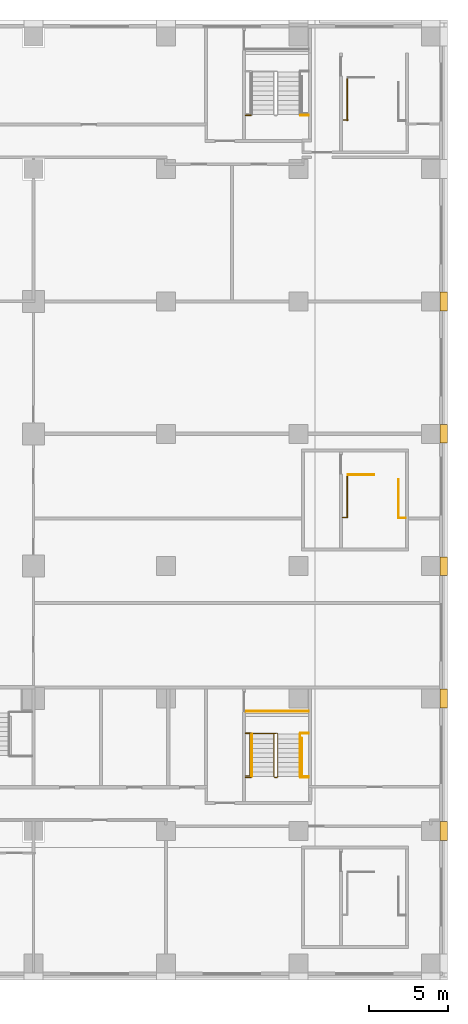
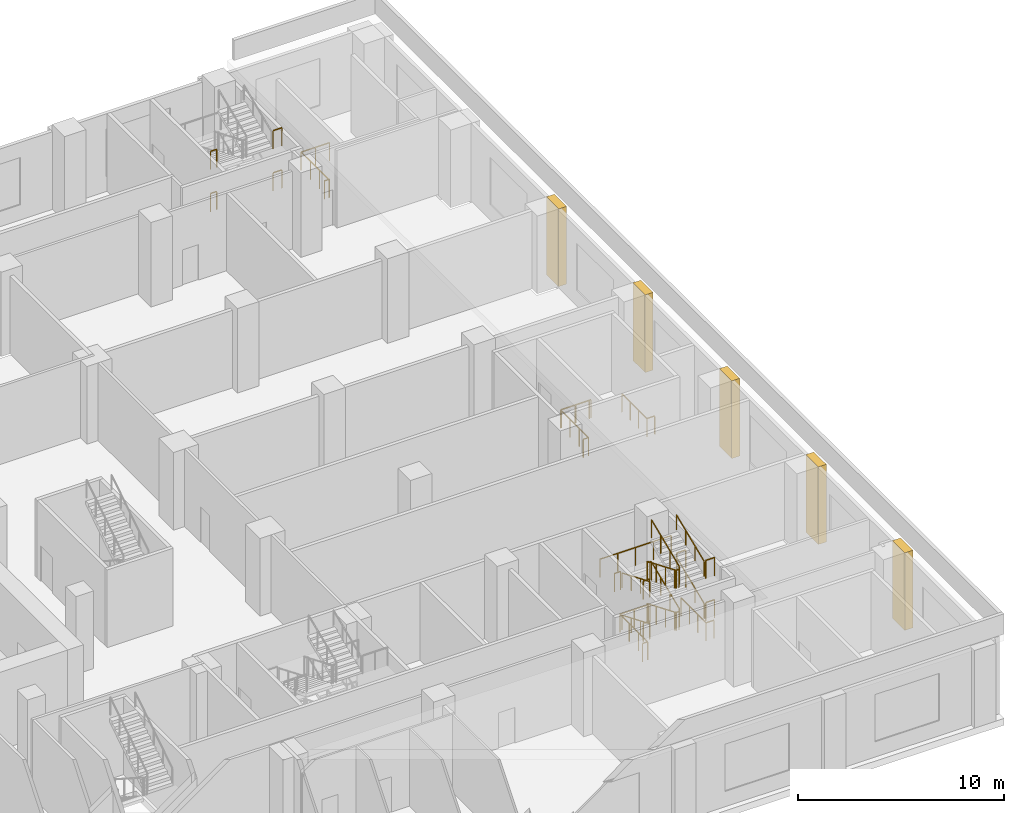
# One storey, part 22 of 23: 22 railings, 5 coverings.
"""IFC4 building model written with IfcOpenShell, lengths in metres."""

from ifc_helpers import new_model, si_unit, direction, frame, origin, origin_2d, place, context, subcontext, project, spatial, polyline, rectangle, outline, extrude, material, type_object, element, save


model = new_model("IFC4")

# Units and contexts
model_context = context("Model", 3, precision=1e-05, world=origin(), true_north=direction((0.0, 1.0)))
body_context = subcontext(model_context, "Body", "Model", "MODEL_VIEW")
ifc_project = project(units=[si_unit("LENGTHUNIT", "METRE"), si_unit("AREAUNIT", "SQUARE_METRE"), si_unit("VOLUMEUNIT", "CUBIC_METRE"), si_unit("PLANEANGLEUNIT", "RADIAN"), si_unit("MASSUNIT", "GRAM", prefix="KILO")], contexts=[model_context])

# Site, building, storey
site_placement = place(None, origin())
site = spatial("IfcSite", under=ifc_project, at=site_placement, CompositionType="ELEMENT")
building_placement = place(site_placement, origin())
building = spatial("IfcBuilding", under=site, at=building_placement, Name="Vermilion Ogive Tower", CompositionType="ELEMENT")
storey_placement = place(building_placement, frame((0.0, 0.0, 20.0)))
storey = spatial("IfcBuildingStorey", under=building, at=storey_placement, Name="L03", CompositionType="ELEMENT", Elevation=20.0)

# Railings
ifc_material_1 = material(Name="Steel S355 painted", Category="steel")
railing_type_1 = type_object("IfcRailingType", Name="Stair guard 1100", PredefinedType="GUARDRAIL", material=ifc_material_1)
railing_1_placement = place(storey_placement, frame((40.64990234375, -14.800048828125, 0.0)))
element("IfcRailing", 1, at=railing_1_placement, inside=storey, type_object=railing_type_1, Name="L03 PS6 stair guard 8", PredefinedType="GUARDRAIL", context=body_context, shape_type="SweptSolid", body=[
    extrude(rectangle(XDim=0.048095703125, YDim=0.048095703125, at=origin_2d()), frame((0.0, 0.0, 1.076171875), z_axis=(-1.0, 0.0, 0.0), x_axis=(0.0, -1.0, 0.0)), (0.0, 0.0, 1.0), 0.14990234375),
    extrude(rectangle(XDim=0.048095703125, YDim=0.048095703125, at=origin_2d()), frame((-0.14990234375, 0.0, 1.076171875), z_axis=(-0.34841279274, -0.34841279274, 0.870182194549), x_axis=(0.707106781187, -0.707106781187, 0.0)), (0.0, 0.0, 1.0), 0.1435546875),
    extrude(rectangle(XDim=0.048095703125, YDim=0.048095703125, at=origin_2d()), frame((-0.199951171875, -0.050048828125, 1.201171875), z_axis=(0.0, -0.923074453586, 0.384621311341), x_axis=(1.0, 0.0, 0.0)), (0.0, 0.0, 1.0), 2.925048828125),
    extrude(rectangle(XDim=0.048095703125, YDim=0.048095703125, at=origin_2d()), frame((-0.199951171875, -2.75, 2.326171875), z_axis=(0.707106781187, -0.707106781187, 0.0), x_axis=(0.707106781187, 0.707106781187, 0.0)), (0.0, 0.0, 1.0), 0.07080078125),
    extrude(rectangle(XDim=0.048095703125, YDim=0.048095703125, at=origin_2d()), frame((-0.14990234375, -2.800048828125, 2.326171875), z_axis=(1.0, 0.0, 0.0), x_axis=(0.0, 1.0, 0.0)), (0.0, 0.0, 1.0), 0.14990234375),
    extrude(rectangle(XDim=0.048095703125, YDim=0.048095703125, at=origin_2d()), frame((0.0, -2.800048828125, 2.326171875), z_axis=(0.34841279274, 0.34841279274, 0.870182194549), x_axis=(-0.707106781187, 0.707106781187, 0.0)), (0.0, 0.0, 1.0), 0.1435546875),
    extrude(rectangle(XDim=0.048095703125, YDim=0.048095703125, at=origin_2d()), frame((0.050048828125, -2.75, 2.451171875), z_axis=(0.0, 0.923074453586, 0.384621311341), x_axis=(-1.0, 0.0, 0.0)), (0.0, 0.0, 1.0), 2.925048828125),
    extrude(rectangle(XDim=0.048095703125, YDim=0.048095703125, at=origin_2d()), frame((0.050048828125, -0.050048828125, 3.576171875), z_axis=(-0.707106781187, 0.707106781187, 0.0), x_axis=(-0.707106781187, -0.707106781187, 0.0)), (0.0, 0.0, 1.0), 0.07080078125),
    extrude(rectangle(XDim=0.048095703125, YDim=0.048095703125, at=origin_2d()), frame((0.0, 0.0, 3.576171875), z_axis=(-1.0, 0.0, 0.0), x_axis=(0.0, -1.0, 0.0)), (0.0, 0.0, 1.0), 0.14990234375),
    extrude(rectangle(XDim=0.048095703125, YDim=0.048095703125, at=origin_2d()), frame((-0.14990234375, 0.0, 3.576171875), z_axis=(-0.34841279274, -0.34841279274, 0.870182194549), x_axis=(0.707106781187, -0.707106781187, 0.0)), (0.0, 0.0, 1.0), 0.1435546875),
    extrude(rectangle(XDim=0.048095703125, YDim=0.048095703125, at=origin_2d()), frame((-0.199951171875, -0.050048828125, 3.701171875), z_axis=(0.0, -0.923074453586, 0.384621311341), x_axis=(1.0, 0.0, 0.0)), (0.0, 0.0, 1.0), 2.925048828125),
    extrude(rectangle(XDim=0.048095703125, YDim=0.048095703125, at=origin_2d()), frame((-0.199951171875, -2.75, 4.826171875), z_axis=(0.707106781187, -0.707106781187, 0.0), x_axis=(0.707106781187, 0.707106781187, 0.0)), (0.0, 0.0, 1.0), 0.07080078125),
    extrude(rectangle(XDim=0.048095703125, YDim=0.048095703125, at=origin_2d()), frame((-0.14990234375, -2.800048828125, 4.826171875), z_axis=(1.0, 0.0, 0.0), x_axis=(0.0, 1.0, 0.0)), (0.0, 0.0, 1.0), 0.14990234375),
    extrude(rectangle(XDim=0.048095703125, YDim=0.048095703125, at=origin_2d()), frame((0.0, -2.800048828125, 4.826171875), z_axis=(0.34841279274, 0.34841279274, 0.870182194549), x_axis=(-0.707106781187, 0.707106781187, 0.0)), (0.0, 0.0, 1.0), 0.1435546875),
    extrude(rectangle(XDim=0.048095703125, YDim=0.048095703125, at=origin_2d()), frame((0.050048828125, -2.75, 4.951171875), z_axis=(0.0, 0.923074453586, 0.384621311341), x_axis=(-1.0, 0.0, 0.0)), (0.0, 0.0, 1.0), 2.925048828125),
    extrude(rectangle(XDim=0.0419921875, YDim=0.0419921875, at=origin_2d()), origin(), (0.0, 0.0, 1.0), 1.052001953125),
    extrude(rectangle(XDim=0.0419921875, YDim=0.0419921875, at=origin_2d()), frame((-0.14990234375, 0.0, 0.0)), (0.0, 0.0, 1.0), 1.052001953125),
    extrude(rectangle(XDim=0.0419921875, YDim=0.0419921875, at=origin_2d()), frame((-0.199951171875, -0.050048828125, 0.125)), (0.0, 0.0, 1.0), 1.052001953125),
    extrude(rectangle(XDim=0.0419921875, YDim=0.0419921875, at=origin_2d()), frame((-0.199951171875, -0.949951171875, 0.5)), (0.0, 0.0, 1.0), 1.052001953125),
    extrude(rectangle(XDim=0.0419921875, YDim=0.0419921875, at=origin_2d()), frame((-0.199951171875, -1.85009765625, 0.875)), (0.0, 0.0, 1.0), 1.052001953125),
    extrude(rectangle(XDim=0.0419921875, YDim=0.0419921875, at=origin_2d()), frame((-0.199951171875, -2.75, 1.25)), (0.0, 0.0, 1.0), 1.052001953125),
    extrude(rectangle(XDim=0.0419921875, YDim=0.0419921875, at=origin_2d()), frame((-0.14990234375, -2.800048828125, 1.25)), (0.0, 0.0, 1.0), 1.052001953125),
    extrude(rectangle(XDim=0.0419921875, YDim=0.0419921875, at=origin_2d()), frame((0.0, -2.800048828125, 1.25)), (0.0, 0.0, 1.0), 1.052001953125),
    extrude(rectangle(XDim=0.0419921875, YDim=0.0419921875, at=origin_2d()), frame((0.050048828125, -2.75, 1.375)), (0.0, 0.0, 1.0), 1.052001953125),
    extrude(rectangle(XDim=0.0419921875, YDim=0.0419921875, at=origin_2d()), frame((0.050048828125, -1.85009765625, 1.75)), (0.0, 0.0, 1.0), 1.052001953125),
    extrude(rectangle(XDim=0.0419921875, YDim=0.0419921875, at=origin_2d()), frame((0.050048828125, -0.949951171875, 2.125)), (0.0, 0.0, 1.0), 1.052001953125),
    extrude(rectangle(XDim=0.0419921875, YDim=0.0419921875, at=origin_2d()), frame((0.050048828125, -0.050048828125, 2.5)), (0.0, 0.0, 1.0), 1.052001953125),
    extrude(rectangle(XDim=0.0419921875, YDim=0.0419921875, at=origin_2d()), frame((0.0, 0.0, 2.5)), (0.0, 0.0, 1.0), 1.052001953125),
    extrude(rectangle(XDim=0.0419921875, YDim=0.0419921875, at=origin_2d()), frame((-0.14990234375, 0.0, 2.5)), (0.0, 0.0, 1.0), 1.052001953125),
    extrude(rectangle(XDim=0.0419921875, YDim=0.0419921875, at=origin_2d()), frame((-0.199951171875, -0.050048828125, 2.625)), (0.0, 0.0, 1.0), 1.052001953125),
    extrude(rectangle(XDim=0.0419921875, YDim=0.0419921875, at=origin_2d()), frame((-0.199951171875, -0.949951171875, 3.0)), (0.0, 0.0, 1.0), 1.052001953125),
    extrude(rectangle(XDim=0.0419921875, YDim=0.0419921875, at=origin_2d()), frame((-0.199951171875, -1.85009765625, 3.375)), (0.0, 0.0, 1.0), 1.052001953125),
    extrude(rectangle(XDim=0.0419921875, YDim=0.0419921875, at=origin_2d()), frame((-0.199951171875, -2.75, 3.75)), (0.0, 0.0, 1.0), 1.052001953125),
    extrude(rectangle(XDim=0.0419921875, YDim=0.0419921875, at=origin_2d()), frame((-0.14990234375, -2.800048828125, 3.75)), (0.0, 0.0, 1.0), 1.052001953125),
    extrude(rectangle(XDim=0.0419921875, YDim=0.0419921875, at=origin_2d()), frame((0.0, -2.800048828125, 3.75)), (0.0, 0.0, 1.0), 1.052001953125),
    extrude(rectangle(XDim=0.0419921875, YDim=0.0419921875, at=origin_2d()), frame((0.050048828125, -2.75, 3.875)), (0.0, 0.0, 1.0), 1.052001953125),
    extrude(rectangle(XDim=0.0419921875, YDim=0.0419921875, at=origin_2d()), frame((0.050048828125, -1.85009765625, 4.25)), (0.0, 0.0, 1.0), 1.052001953125),
    extrude(rectangle(XDim=0.0419921875, YDim=0.0419921875, at=origin_2d()), frame((0.050048828125, -0.949951171875, 4.625)), (0.0, 0.0, 1.0), 1.052001953125),
    extrude(rectangle(XDim=0.0419921875, YDim=0.0419921875, at=origin_2d()), frame((0.050048828125, -0.050048828125, 5.0)), (0.0, 0.0, 1.0), 1.052001953125),
])
railing_2_placement = place(storey_placement, frame((45.14990234375, 1.60009765625, 0.0)))
element("IfcRailing", 2, at=railing_2_placement, inside=storey, type_object=railing_type_1, Name="L03 PEC top well guard 1", PredefinedType="GUARDRAIL", context=body_context, shape_type="SweptSolid", body=[
    extrude(rectangle(XDim=0.048095703125, YDim=0.048095703125, at=origin_2d()), frame((0.0, 0.0, 1.076171875), z_axis=(1.0, 0.0, 0.0), x_axis=(0.0, 1.0, 0.0)), (0.0, 0.0, 1.0), 1.650146484375),
    extrude(rectangle(XDim=0.0419921875, YDim=0.0419921875, at=origin_2d()), origin(), (0.0, 0.0, 1.0), 1.052001953125),
    extrude(rectangle(XDim=0.0419921875, YDim=0.0419921875, at=origin_2d()), frame((0.8251953125, 0.0, 0.0)), (0.0, 0.0, 1.0), 1.052001953125),
    extrude(rectangle(XDim=0.0419921875, YDim=0.0419921875, at=origin_2d()), frame((1.650146484375, 0.0, 0.0)), (0.0, 0.0, 1.0), 1.052001953125),
])
railing_3_placement = place(storey_placement, frame((38.650146484375, 24.39990234375, 1.25)))
element("IfcRailing", 3, at=railing_3_placement, inside=storey, type_object=railing_type_1, Name="L03 landing guard", PredefinedType="GUARDRAIL", context=body_context, shape_type="SweptSolid", body=[
    extrude(rectangle(XDim=0.048095703125, YDim=0.048095703125, at=origin_2d()), frame((0.0, 0.0, 1.076171875), z_axis=(1.0, 0.0, 0.0), x_axis=(0.0, 1.0, 0.0)), (0.0, 0.0, 1.0), 0.349853515625),
    extrude(rectangle(XDim=0.0419921875, YDim=0.0419921875, at=origin_2d()), origin(), (0.0, 0.0, 1.0), 1.052001953125),
    extrude(rectangle(XDim=0.0419921875, YDim=0.0419921875, at=origin_2d()), frame((0.349853515625, 0.0, 0.0)), (0.0, 0.0, 1.0), 1.052001953125),
])
railing_4_placement = place(storey_placement, frame((42.14990234375, 24.39990234375, 1.25)))
element("IfcRailing", 4, at=railing_4_placement, inside=storey, type_object=railing_type_1, Name="L03 landing guard", PredefinedType="GUARDRAIL", context=body_context, shape_type="SweptSolid", body=[
    extrude(rectangle(XDim=0.048095703125, YDim=0.048095703125, at=origin_2d()), frame((0.0, 0.0, 1.076171875), z_axis=(1.0, 0.0, 0.0), x_axis=(0.0, 1.0, 0.0)), (0.0, 0.0, 1.0), 0.5),
    extrude(rectangle(XDim=0.0419921875, YDim=0.0419921875, at=origin_2d()), origin(), (0.0, 0.0, 1.0), 1.052001953125),
    extrude(rectangle(XDim=0.0419921875, YDim=0.0419921875, at=origin_2d()), frame((0.5, 0.0, 0.0)), (0.0, 0.0, 1.0), 1.052001953125),
])
railing_5_placement = place(storey_placement, frame((38.650146484375, 24.39990234375, 3.75)))
element("IfcRailing", 5, at=railing_5_placement, inside=storey, type_object=railing_type_1, Name="L03 landing guard", PredefinedType="GUARDRAIL", context=body_context, shape_type="SweptSolid", body=[
    extrude(rectangle(XDim=0.048095703125, YDim=0.048095703125, at=origin_2d()), frame((0.0, 0.0, 1.076171875), z_axis=(1.0, 0.0, 0.0), x_axis=(0.0, 1.0, 0.0)), (0.0, 0.0, 1.0), 0.349853515625),
    extrude(rectangle(XDim=0.0419921875, YDim=0.0419921875, at=origin_2d()), origin(), (0.0, 0.0, 1.0), 1.052001953125),
    extrude(rectangle(XDim=0.0419921875, YDim=0.0419921875, at=origin_2d()), frame((0.349853515625, 0.0, 0.0)), (0.0, 0.0, 1.0), 1.052001953125),
])
railing_6_placement = place(storey_placement, frame((42.14990234375, 24.39990234375, 3.75)))
element("IfcRailing", 6, at=railing_6_placement, inside=storey, type_object=railing_type_1, Name="L03 landing guard", PredefinedType="GUARDRAIL", context=body_context, shape_type="SweptSolid", body=[
    extrude(rectangle(XDim=0.048095703125, YDim=0.048095703125, at=origin_2d()), frame((0.0, 0.0, 1.076171875), z_axis=(1.0, 0.0, 0.0), x_axis=(0.0, 1.0, 0.0)), (0.0, 0.0, 1.0), 0.5),
    extrude(rectangle(XDim=0.0419921875, YDim=0.0419921875, at=origin_2d()), origin(), (0.0, 0.0, 1.0), 1.052001953125),
    extrude(rectangle(XDim=0.0419921875, YDim=0.0419921875, at=origin_2d()), frame((0.5, 0.0, 0.0)), (0.0, 0.0, 1.0), 1.052001953125),
])
railing_7_placement = place(storey_placement, frame((38.650146484375, -17.60009765625, 1.25)))
element("IfcRailing", 7, at=railing_7_placement, inside=storey, type_object=railing_type_1, Name="L03 landing guard", PredefinedType="GUARDRAIL", context=body_context, shape_type="SweptSolid", body=[
    extrude(rectangle(XDim=0.048095703125, YDim=0.048095703125, at=origin_2d()), frame((0.0, 0.0, 1.076171875), z_axis=(1.0, 0.0, 0.0), x_axis=(0.0, 1.0, 0.0)), (0.0, 0.0, 1.0), 0.349853515625),
    extrude(rectangle(XDim=0.0419921875, YDim=0.0419921875, at=origin_2d()), origin(), (0.0, 0.0, 1.0), 1.052001953125),
    extrude(rectangle(XDim=0.0419921875, YDim=0.0419921875, at=origin_2d()), frame((0.349853515625, 0.0, 0.0)), (0.0, 0.0, 1.0), 1.052001953125),
])
railing_8_placement = place(storey_placement, frame((42.14990234375, -17.60009765625, 1.25)))
element("IfcRailing", 8, at=railing_8_placement, inside=storey, type_object=railing_type_1, Name="L03 landing guard", PredefinedType="GUARDRAIL", context=body_context, shape_type="SweptSolid", body=[
    extrude(rectangle(XDim=0.048095703125, YDim=0.048095703125, at=origin_2d()), frame((0.0, 0.0, 1.076171875), z_axis=(1.0, 0.0, 0.0), x_axis=(0.0, 1.0, 0.0)), (0.0, 0.0, 1.0), 0.5),
    extrude(rectangle(XDim=0.0419921875, YDim=0.0419921875, at=origin_2d()), origin(), (0.0, 0.0, 1.0), 1.052001953125),
    extrude(rectangle(XDim=0.0419921875, YDim=0.0419921875, at=origin_2d()), frame((0.5, 0.0, 0.0)), (0.0, 0.0, 1.0), 1.052001953125),
])
railing_9_placement = place(storey_placement, frame((38.650146484375, -13.39990234375, 2.5)))
element("IfcRailing", 9, at=railing_9_placement, inside=storey, type_object=railing_type_1, Name="L03 landing guard", PredefinedType="GUARDRAIL", context=body_context, shape_type="SweptSolid", body=[
    extrude(rectangle(XDim=0.048095703125, YDim=0.048095703125, at=origin_2d()), frame((0.0, 0.0, 1.076171875), z_axis=(1.0, 0.0, 0.0), x_axis=(0.0, 1.0, 0.0)), (0.0, 0.0, 1.0), 3.999755859375),
    extrude(rectangle(XDim=0.0419921875, YDim=0.0419921875, at=origin_2d()), origin(), (0.0, 0.0, 1.0), 1.052001953125),
    extrude(rectangle(XDim=0.0419921875, YDim=0.0419921875, at=origin_2d()), frame((1.0, 0.0, 0.0)), (0.0, 0.0, 1.0), 1.052001953125),
    extrude(rectangle(XDim=0.0419921875, YDim=0.0419921875, at=origin_2d()), frame((2.0, 0.0, 0.0)), (0.0, 0.0, 1.0), 1.052001953125),
    extrude(rectangle(XDim=0.0419921875, YDim=0.0419921875, at=origin_2d()), frame((2.999755859375, 0.0, 0.0)), (0.0, 0.0, 1.0), 1.052001953125),
    extrude(rectangle(XDim=0.0419921875, YDim=0.0419921875, at=origin_2d()), frame((3.999755859375, 0.0, 0.0)), (0.0, 0.0, 1.0), 1.052001953125),
])
railing_10_placement = place(storey_placement, frame((38.650146484375, -14.800048828125, 2.5)))
element("IfcRailing", 10, at=railing_10_placement, inside=storey, type_object=railing_type_1, Name="L03 landing guard", PredefinedType="GUARDRAIL", context=body_context, shape_type="SweptSolid", body=[
    extrude(rectangle(XDim=0.048095703125, YDim=0.048095703125, at=origin_2d()), frame((0.0, 0.0, 1.076171875), z_axis=(1.0, 0.0, 0.0), x_axis=(0.0, 1.0, 0.0)), (0.0, 0.0, 1.0), 0.349853515625),
    extrude(rectangle(XDim=0.0419921875, YDim=0.0419921875, at=origin_2d()), origin(), (0.0, 0.0, 1.0), 1.052001953125),
    extrude(rectangle(XDim=0.0419921875, YDim=0.0419921875, at=origin_2d()), frame((0.349853515625, 0.0, 0.0)), (0.0, 0.0, 1.0), 1.052001953125),
])
railing_11_placement = place(storey_placement, frame((42.14990234375, -14.800048828125, 2.5)))
element("IfcRailing", 11, at=railing_11_placement, inside=storey, type_object=railing_type_1, Name="L03 landing guard", PredefinedType="GUARDRAIL", context=body_context, shape_type="SweptSolid", body=[
    extrude(rectangle(XDim=0.048095703125, YDim=0.048095703125, at=origin_2d()), frame((0.0, 0.0, 1.076171875), z_axis=(1.0, 0.0, 0.0), x_axis=(0.0, 1.0, 0.0)), (0.0, 0.0, 1.0), 0.5),
    extrude(rectangle(XDim=0.0419921875, YDim=0.0419921875, at=origin_2d()), origin(), (0.0, 0.0, 1.0), 1.052001953125),
    extrude(rectangle(XDim=0.0419921875, YDim=0.0419921875, at=origin_2d()), frame((0.5, 0.0, 0.0)), (0.0, 0.0, 1.0), 1.052001953125),
])
railing_12_placement = place(storey_placement, frame((38.650146484375, -17.60009765625, 3.75)))
element("IfcRailing", 12, at=railing_12_placement, inside=storey, type_object=railing_type_1, Name="L03 landing guard", PredefinedType="GUARDRAIL", context=body_context, shape_type="SweptSolid", body=[
    extrude(rectangle(XDim=0.048095703125, YDim=0.048095703125, at=origin_2d()), frame((0.0, 0.0, 1.076171875), z_axis=(1.0, 0.0, 0.0), x_axis=(0.0, 1.0, 0.0)), (0.0, 0.0, 1.0), 0.349853515625),
    extrude(rectangle(XDim=0.0419921875, YDim=0.0419921875, at=origin_2d()), origin(), (0.0, 0.0, 1.0), 1.052001953125),
    extrude(rectangle(XDim=0.0419921875, YDim=0.0419921875, at=origin_2d()), frame((0.349853515625, 0.0, 0.0)), (0.0, 0.0, 1.0), 1.052001953125),
])
railing_13_placement = place(storey_placement, frame((42.14990234375, -17.60009765625, 3.75)))
element("IfcRailing", 13, at=railing_13_placement, inside=storey, type_object=railing_type_1, Name="L03 landing guard", PredefinedType="GUARDRAIL", context=body_context, shape_type="SweptSolid", body=[
    extrude(rectangle(XDim=0.048095703125, YDim=0.048095703125, at=origin_2d()), frame((0.0, 0.0, 1.076171875), z_axis=(1.0, 0.0, 0.0), x_axis=(0.0, 1.0, 0.0)), (0.0, 0.0, 1.0), 0.5),
    extrude(rectangle(XDim=0.0419921875, YDim=0.0419921875, at=origin_2d()), origin(), (0.0, 0.0, 1.0), 1.052001953125),
    extrude(rectangle(XDim=0.0419921875, YDim=0.0419921875, at=origin_2d()), frame((0.5, 0.0, 0.0)), (0.0, 0.0, 1.0), 1.052001953125),
])
railing_14_placement = place(storey_placement, frame((38.660888671875, -17.515625, 0.0)))
element("IfcRailing", 14, at=railing_14_placement, inside=storey, type_object=railing_type_1, Name="L03 stair opening guard", PredefinedType="GUARDRAIL", context=body_context, shape_type="SweptSolid", body=[
    extrude(rectangle(XDim=0.048095703125, YDim=0.048095703125, at=origin_2d()), frame((0.0, 0.0, 1.076171875), z_axis=(1.0, 0.0, 0.0), x_axis=(0.0, 1.0, 0.0)), (0.0, 0.0, 1.0), 0.289794921875),
    extrude(rectangle(XDim=0.048095703125, YDim=0.048095703125, at=origin_2d()), frame((0.289794921875, 0.0, 1.076171875), z_axis=(0.0, 1.0, 0.0), x_axis=(-1.0, 0.0, 0.0)), (0.0, 0.0, 1.0), 2.699951171875),
    extrude(rectangle(XDim=0.048095703125, YDim=0.048095703125, at=origin_2d()), frame((0.289794921875, 2.699951171875, 1.076171875), z_axis=(1.0, 0.0, 0.0), x_axis=(0.0, 1.0, 0.0)), (0.0, 0.0, 1.0), 1.60009765625),
    extrude(rectangle(XDim=0.0419921875, YDim=0.0419921875, at=origin_2d()), origin(), (0.0, 0.0, 1.0), 1.052001953125),
    extrude(rectangle(XDim=0.0419921875, YDim=0.0419921875, at=origin_2d()), frame((0.289794921875, 0.0, 0.0)), (0.0, 0.0, 1.0), 1.052001953125),
    extrude(rectangle(XDim=0.0419921875, YDim=0.0419921875, at=origin_2d()), frame((0.289794921875, 0.89990234375, 0.0)), (0.0, 0.0, 1.0), 1.052001953125),
    extrude(rectangle(XDim=0.0419921875, YDim=0.0419921875, at=origin_2d()), frame((0.289794921875, 1.800048828125, 0.0)), (0.0, 0.0, 1.0), 1.052001953125),
    extrude(rectangle(XDim=0.0419921875, YDim=0.0419921875, at=origin_2d()), frame((0.289794921875, 2.699951171875, 0.0)), (0.0, 0.0, 1.0), 1.052001953125),
    extrude(rectangle(XDim=0.0419921875, YDim=0.0419921875, at=origin_2d()), frame((1.08984375, 2.699951171875, 0.0)), (0.0, 0.0, 1.0), 1.052001953125),
    extrude(rectangle(XDim=0.0419921875, YDim=0.0419921875, at=origin_2d()), frame((1.889892578125, 2.699951171875, 0.0)), (0.0, 0.0, 1.0), 1.052001953125),
])
railing_15_placement = place(storey_placement, frame((42.208984375, -15.115234375, 0.0)))
element("IfcRailing", 15, at=railing_15_placement, inside=storey, type_object=railing_type_1, Name="L03 stair opening guard", PredefinedType="GUARDRAIL", context=body_context, shape_type="SweptSolid", body=[
    extrude(rectangle(XDim=0.048095703125, YDim=0.048095703125, at=origin_2d()), frame((0.0, 0.0, 1.076171875), z_axis=(0.0, -1.0, 0.0), x_axis=(1.0, 0.0, 0.0)), (0.0, 0.0, 1.0), 2.424072265625),
    extrude(rectangle(XDim=0.048095703125, YDim=0.048095703125, at=origin_2d()), frame((0.0, -2.424072265625, 1.076171875), z_axis=(1.0, 0.0, 0.0), x_axis=(0.0, 1.0, 0.0)), (0.0, 0.0, 1.0), 0.43994140625),
    extrude(rectangle(XDim=0.0419921875, YDim=0.0419921875, at=origin_2d()), origin(), (0.0, 0.0, 1.0), 1.052001953125),
    extrude(rectangle(XDim=0.0419921875, YDim=0.0419921875, at=origin_2d()), frame((0.0, -0.80810546875, 0.0)), (0.0, 0.0, 1.0), 1.052001953125),
    extrude(rectangle(XDim=0.0419921875, YDim=0.0419921875, at=origin_2d()), frame((0.0, -1.615966796875, 0.0)), (0.0, 0.0, 1.0), 1.052001953125),
    extrude(rectangle(XDim=0.0419921875, YDim=0.0419921875, at=origin_2d()), frame((0.0, -2.424072265625, 0.0)), (0.0, 0.0, 1.0), 1.052001953125),
    extrude(rectangle(XDim=0.0419921875, YDim=0.0419921875, at=origin_2d()), frame((0.43994140625, -2.424072265625, 0.0)), (0.0, 0.0, 1.0), 1.052001953125),
])
railing_16_placement = place(storey_placement, frame((44.860107421875, 24.110107421875, 0.0)))
element("IfcRailing", 16, at=railing_16_placement, inside=storey, type_object=railing_type_1, Name="L03 stair opening guard", PredefinedType="GUARDRAIL", context=body_context, shape_type="SweptSolid", body=[
    extrude(rectangle(XDim=0.048095703125, YDim=0.048095703125, at=origin_2d()), frame((0.0, 0.0, 1.076171875), z_axis=(1.0, 0.0, 0.0), x_axis=(0.0, 1.0, 0.0)), (0.0, 0.0, 1.0), 0.289794921875),
    extrude(rectangle(XDim=0.048095703125, YDim=0.048095703125, at=origin_2d()), frame((0.289794921875, 0.0, 1.076171875), z_axis=(-0.867483117918, -0.497466622124, 0.0), x_axis=(0.497466622124, -0.867483117918, 0.0)), (0.0, 0.0, 1.0), 0.059326171875),
    extrude(rectangle(XDim=0.048095703125, YDim=0.048095703125, at=origin_2d()), frame((0.23828125, -0.029541015625, 1.076171875), z_axis=(0.0, 1.0, 0.0), x_axis=(-1.0, 0.0, 0.0)), (0.0, 0.0, 1.0), 2.699951171875),
    extrude(rectangle(XDim=0.048095703125, YDim=0.048095703125, at=origin_2d()), frame((0.23828125, 2.67041015625, 1.076171875), z_axis=(1.0, 0.0, 0.0), x_axis=(0.0, 1.0, 0.0)), (0.0, 0.0, 1.0), 1.60009765625),
    extrude(rectangle(XDim=0.0419921875, YDim=0.0419921875, at=origin_2d()), origin(), (0.0, 0.0, 1.0), 1.052001953125),
    extrude(rectangle(XDim=0.0419921875, YDim=0.0419921875, at=origin_2d()), frame((0.289794921875, 0.0, 0.0)), (0.0, 0.0, 1.0), 1.052001953125),
    extrude(rectangle(XDim=0.0419921875, YDim=0.0419921875, at=origin_2d()), frame((0.23828125, -0.029541015625, 0.0)), (0.0, 0.0, 1.0), 1.052001953125),
    extrude(rectangle(XDim=0.0419921875, YDim=0.0419921875, at=origin_2d()), frame((0.23828125, 0.870361328125, 0.0)), (0.0, 0.0, 1.0), 1.052001953125),
    extrude(rectangle(XDim=0.0419921875, YDim=0.0419921875, at=origin_2d()), frame((0.23828125, 1.7705078125, 0.0)), (0.0, 0.0, 1.0), 1.052001953125),
    extrude(rectangle(XDim=0.0419921875, YDim=0.0419921875, at=origin_2d()), frame((0.23828125, 2.67041015625, 0.0)), (0.0, 0.0, 1.0), 1.052001953125),
    extrude(rectangle(XDim=0.0419921875, YDim=0.0419921875, at=origin_2d()), frame((1.038330078125, 2.67041015625, 0.0)), (0.0, 0.0, 1.0), 1.052001953125),
    extrude(rectangle(XDim=0.0419921875, YDim=0.0419921875, at=origin_2d()), frame((1.83837890625, 2.67041015625, 0.0)), (0.0, 0.0, 1.0), 1.052001953125),
])
railing_17_placement = place(storey_placement, frame((44.810791015625, -1.115478515625, 0.0)))
element("IfcRailing", 17, at=railing_17_placement, inside=storey, type_object=railing_type_1, Name="L03 stair opening guard", PredefinedType="GUARDRAIL", context=body_context, shape_type="SweptSolid", body=[
    extrude(rectangle(XDim=0.048095703125, YDim=0.048095703125, at=origin_2d()), frame((0.0, 0.0, 1.076171875), z_axis=(1.0, 0.0, 0.0), x_axis=(0.0, 1.0, 0.0)), (0.0, 0.0, 1.0), 0.289794921875),
    extrude(rectangle(XDim=0.048095703125, YDim=0.048095703125, at=origin_2d()), frame((0.289794921875, 0.0, 1.076171875), z_axis=(0.0, 1.0, 0.0), x_axis=(-1.0, 0.0, 0.0)), (0.0, 0.0, 1.0), 2.699951171875),
    extrude(rectangle(XDim=0.048095703125, YDim=0.048095703125, at=origin_2d()), frame((0.289794921875, 2.699951171875, 1.076171875), z_axis=(1.0, 0.0, 0.0), x_axis=(0.0, 1.0, 0.0)), (0.0, 0.0, 1.0), 1.60009765625),
    extrude(rectangle(XDim=0.0419921875, YDim=0.0419921875, at=origin_2d()), origin(), (0.0, 0.0, 1.0), 1.052001953125),
    extrude(rectangle(XDim=0.0419921875, YDim=0.0419921875, at=origin_2d()), frame((0.289794921875, 0.0, 0.0)), (0.0, 0.0, 1.0), 1.052001953125),
    extrude(rectangle(XDim=0.0419921875, YDim=0.0419921875, at=origin_2d()), frame((0.289794921875, 0.89990234375, 0.0)), (0.0, 0.0, 1.0), 1.052001953125),
    extrude(rectangle(XDim=0.0419921875, YDim=0.0419921875, at=origin_2d()), frame((0.289794921875, 1.800048828125, 0.0)), (0.0, 0.0, 1.0), 1.052001953125),
    extrude(rectangle(XDim=0.0419921875, YDim=0.0419921875, at=origin_2d()), frame((0.289794921875, 2.699951171875, 0.0)), (0.0, 0.0, 1.0), 1.052001953125),
    extrude(rectangle(XDim=0.0419921875, YDim=0.0419921875, at=origin_2d()), frame((1.08984375, 2.699951171875, 0.0)), (0.0, 0.0, 1.0), 1.052001953125),
    extrude(rectangle(XDim=0.0419921875, YDim=0.0419921875, at=origin_2d()), frame((1.889892578125, 2.699951171875, 0.0)), (0.0, 0.0, 1.0), 1.052001953125),
])
railing_18_placement = place(storey_placement, frame((48.359130859375, 1.28515625, 0.0)))
element("IfcRailing", 18, at=railing_18_placement, inside=storey, type_object=railing_type_1, Name="L03 stair opening guard", PredefinedType="GUARDRAIL", context=body_context, shape_type="SweptSolid", body=[
    extrude(rectangle(XDim=0.048095703125, YDim=0.048095703125, at=origin_2d()), frame((0.0, 0.0, 1.076171875), z_axis=(0.0, -1.0, 0.0), x_axis=(1.0, 0.0, 0.0)), (0.0, 0.0, 1.0), 2.424560546875),
    extrude(rectangle(XDim=0.048095703125, YDim=0.048095703125, at=origin_2d()), frame((0.0, -2.424560546875, 1.076171875), z_axis=(1.0, 0.0, 0.0), x_axis=(0.0, 1.0, 0.0)), (0.0, 0.0, 1.0), 0.439697265625),
    extrude(rectangle(XDim=0.0419921875, YDim=0.0419921875, at=origin_2d()), origin(), (0.0, 0.0, 1.0), 1.052001953125),
    extrude(rectangle(XDim=0.0419921875, YDim=0.0419921875, at=origin_2d()), frame((0.0, -0.80810546875, 0.0)), (0.0, 0.0, 1.0), 1.052001953125),
    extrude(rectangle(XDim=0.0419921875, YDim=0.0419921875, at=origin_2d()), frame((0.0, -1.616455078125, 0.0)), (0.0, 0.0, 1.0), 1.052001953125),
    extrude(rectangle(XDim=0.0419921875, YDim=0.0419921875, at=origin_2d()), frame((0.0, -2.424560546875, 0.0)), (0.0, 0.0, 1.0), 1.052001953125),
    extrude(rectangle(XDim=0.0419921875, YDim=0.0419921875, at=origin_2d()), frame((0.439697265625, -2.424560546875, 0.0)), (0.0, 0.0, 1.0), 1.052001953125),
])
ifc_material_2 = material(Name="Stainless steel", Category="steel")
railing_type_2 = type_object("IfcRailingType", Name="Stair handrail 900", PredefinedType="HANDRAIL", material=ifc_material_2)
railing_19_placement = place(storey_placement, frame((39.050048828125, -14.85009765625, 0.125)))
element("IfcRailing", 19, at=railing_19_placement, inside=storey, type_object=railing_type_2, Name="L03 PS6 stair handrail 1", PredefinedType="HANDRAIL", context=body_context, shape_type="SweptSolid", body=[
    extrude(rectangle(XDim=0.048095703125, YDim=0.048095703125, at=origin_2d()), frame((0.0, 0.0, 0.8759765625), z_axis=(0.0, -0.923074453586, 0.384621311341), x_axis=(1.0, 0.0, 0.0)), (0.0, 0.0, 1.0), 2.925048828125),
    extrude(rectangle(XDim=0.0419921875, YDim=0.0419921875, at=origin_2d()), origin(), (0.0, 0.0, 1.0), 0.851806640625),
    extrude(rectangle(XDim=0.0419921875, YDim=0.0419921875, at=origin_2d()), frame((0.0, -0.89990234375, 0.375)), (0.0, 0.0, 1.0), 0.851806640625),
    extrude(rectangle(XDim=0.0419921875, YDim=0.0419921875, at=origin_2d()), frame((0.0, -1.800048828125, 0.75)), (0.0, 0.0, 1.0), 0.851806640625),
    extrude(rectangle(XDim=0.0419921875, YDim=0.0419921875, at=origin_2d()), frame((0.0, -2.699951171875, 1.125)), (0.0, 0.0, 1.0), 0.851806640625),
])
railing_20_placement = place(storey_placement, frame((42.10009765625, -17.550048828125, 1.375)))
element("IfcRailing", 20, at=railing_20_placement, inside=storey, type_object=railing_type_2, Name="L03 PS6 stair handrail 2", PredefinedType="HANDRAIL", context=body_context, shape_type="SweptSolid", body=[
    extrude(rectangle(XDim=0.048095703125, YDim=0.048095703125, at=origin_2d()), frame((0.0, 0.0, 0.8759765625), z_axis=(0.0, 0.923074453586, 0.384621311341), x_axis=(-1.0, 0.0, 0.0)), (0.0, 0.0, 1.0), 2.925048828125),
    extrude(rectangle(XDim=0.0419921875, YDim=0.0419921875, at=origin_2d()), origin(), (0.0, 0.0, 1.0), 0.851806640625),
    extrude(rectangle(XDim=0.0419921875, YDim=0.0419921875, at=origin_2d()), frame((0.0, 0.89990234375, 0.375)), (0.0, 0.0, 1.0), 0.851806640625),
    extrude(rectangle(XDim=0.0419921875, YDim=0.0419921875, at=origin_2d()), frame((0.0, 1.800048828125, 0.75)), (0.0, 0.0, 1.0), 0.851806640625),
    extrude(rectangle(XDim=0.0419921875, YDim=0.0419921875, at=origin_2d()), frame((0.0, 2.699951171875, 1.125)), (0.0, 0.0, 1.0), 0.851806640625),
])
railing_21_placement = place(storey_placement, frame((39.050048828125, -14.85009765625, 2.625)))
element("IfcRailing", 21, at=railing_21_placement, inside=storey, type_object=railing_type_2, Name="L03 PS6 stair handrail 3", PredefinedType="HANDRAIL", context=body_context, shape_type="SweptSolid", body=[
    extrude(rectangle(XDim=0.048095703125, YDim=0.048095703125, at=origin_2d()), frame((0.0, 0.0, 0.8759765625), z_axis=(0.0, -0.923074453586, 0.384621311341), x_axis=(1.0, 0.0, 0.0)), (0.0, 0.0, 1.0), 2.925048828125),
    extrude(rectangle(XDim=0.0419921875, YDim=0.0419921875, at=origin_2d()), origin(), (0.0, 0.0, 1.0), 0.851806640625),
    extrude(rectangle(XDim=0.0419921875, YDim=0.0419921875, at=origin_2d()), frame((0.0, -0.89990234375, 0.375)), (0.0, 0.0, 1.0), 0.851806640625),
    extrude(rectangle(XDim=0.0419921875, YDim=0.0419921875, at=origin_2d()), frame((0.0, -1.800048828125, 0.75)), (0.0, 0.0, 1.0), 0.851806640625),
    extrude(rectangle(XDim=0.0419921875, YDim=0.0419921875, at=origin_2d()), frame((0.0, -2.699951171875, 1.125)), (0.0, 0.0, 1.0), 0.851806640625),
])
railing_22_placement = place(storey_placement, frame((42.10009765625, -17.550048828125, 3.875)))
element("IfcRailing", 22, at=railing_22_placement, inside=storey, type_object=railing_type_2, Name="L03 PS6 stair handrail 4", PredefinedType="HANDRAIL", context=body_context, shape_type="SweptSolid", body=[
    extrude(rectangle(XDim=0.048095703125, YDim=0.048095703125, at=origin_2d()), frame((0.0, 0.0, 0.8759765625), z_axis=(0.0, 0.923074453586, 0.384621311341), x_axis=(-1.0, 0.0, 0.0)), (0.0, 0.0, 1.0), 2.925048828125),
    extrude(rectangle(XDim=0.0419921875, YDim=0.0419921875, at=origin_2d()), origin(), (0.0, 0.0, 1.0), 0.851806640625),
    extrude(rectangle(XDim=0.0419921875, YDim=0.0419921875, at=origin_2d()), frame((0.0, 0.89990234375, 0.375)), (0.0, 0.0, 1.0), 0.851806640625),
    extrude(rectangle(XDim=0.0419921875, YDim=0.0419921875, at=origin_2d()), frame((0.0, 1.800048828125, 0.75)), (0.0, 0.0, 1.0), 0.851806640625),
    extrude(rectangle(XDim=0.0419921875, YDim=0.0419921875, at=origin_2d()), frame((0.0, 2.699951171875, 1.125)), (0.0, 0.0, 1.0), 0.851806640625),
])

# Coverings
ifc_material_3 = material(Name="Stone cladding", Category="masonry")
covering_type = type_object("IfcCoveringType", Name="Stone pier", PredefinedType="CLADDING", material=ifc_material_3)
covering_1_placement = place(storey_placement, origin())
element("IfcCovering", 23, at=covering_1_placement, inside=storey, type_object=covering_type, Name="Stone pier P+504+042", PredefinedType="CLADDING", context=body_context, shape_type="SweptSolid", body=[
    extrude(outline(polyline([(51.0, 4.800048828125), (51.449951171875, 4.800048828125), (51.449951171875, 3.60009765625), (51.0, 3.60009765625), (51.0, 4.800048828125), (51.0, 4.800048828125)])), origin(), (0.0, 0.0, 1.0), 4.60009765625),
])
covering_2_placement = place(storey_placement, origin())
element("IfcCovering", 24, at=covering_2_placement, inside=storey, type_object=covering_type, Name="Stone pier P+504+126", PredefinedType="CLADDING", context=body_context, shape_type="SweptSolid", body=[
    extrude(outline(polyline([(51.0, 13.199951171875), (51.449951171875, 13.199951171875), (51.449951171875, 12.0), (51.0, 12.0), (51.0, 13.199951171875), (51.0, 13.199951171875)])), origin(), (0.0, 0.0, 1.0), 4.60009765625),
])
covering_3_placement = place(storey_placement, origin())
element("IfcCovering", 25, at=covering_3_placement, inside=storey, type_object=covering_type, Name="Stone pier P+504-042", PredefinedType="CLADDING", context=body_context, shape_type="SweptSolid", body=[
    extrude(outline(polyline([(51.0, -3.60009765625), (51.0, -3.60009765625), (51.449951171875, -3.60009765625), (51.449951171875, -4.800048828125), (51.0, -4.800048828125), (51.0, -4.800048828125), (51.0, -3.60009765625)])), origin(), (0.0, 0.0, 1.0), 4.60009765625),
])
covering_4_placement = place(storey_placement, origin())
element("IfcCovering", 26, at=covering_4_placement, inside=storey, type_object=covering_type, Name="Stone pier P+504-126", PredefinedType="CLADDING", context=body_context, shape_type="SweptSolid", body=[
    extrude(outline(polyline([(51.0, -12.0), (51.449951171875, -12.0), (51.449951171875, -13.199951171875), (51.0, -13.199951171875), (51.0, -13.199951171875), (51.0, -12.0)])), origin(), (0.0, 0.0, 1.0), 4.60009765625),
])
covering_5_placement = place(storey_placement, origin())
element("IfcCovering", 27, at=covering_5_placement, inside=storey, type_object=covering_type, Name="Stone pier P+504-210", PredefinedType="CLADDING", context=body_context, shape_type="SweptSolid", body=[
    extrude(outline(polyline([(51.449951171875, -20.39990234375), (51.449951171875, -21.60009765625), (51.0, -21.60009765625), (51.0, -20.39990234375), (51.449951171875, -20.39990234375)])), origin(), (0.0, 0.0, 1.0), 4.60009765625),
])

save(model, "model.ifc")
